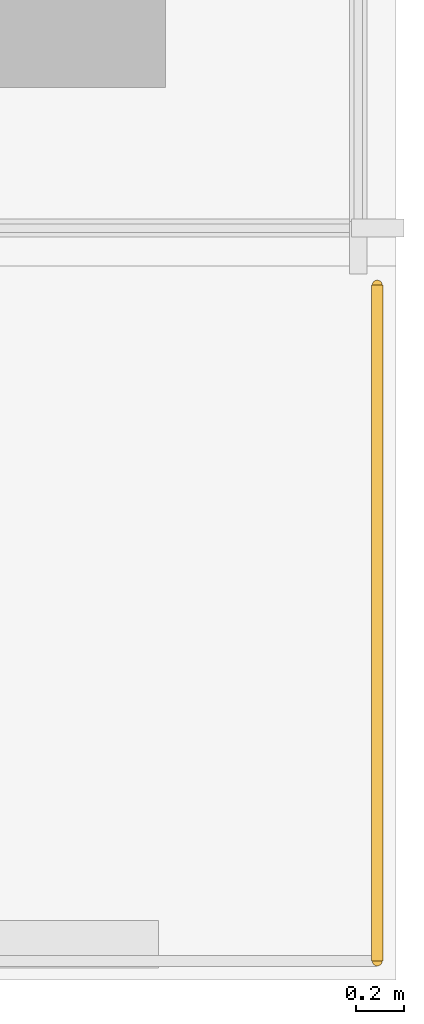
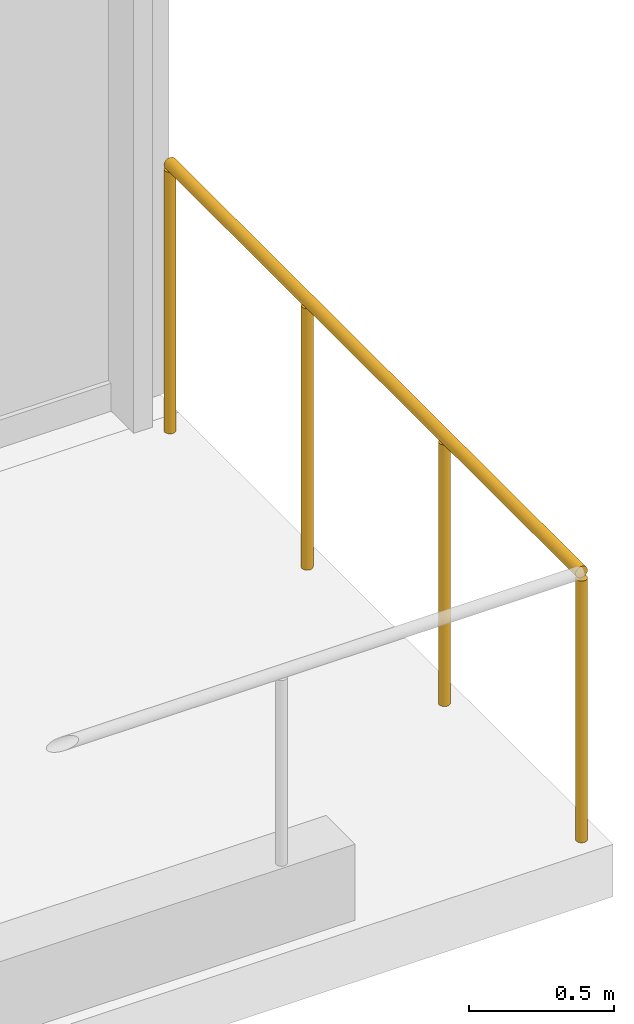
# One storey, part 29 of 31: 1 railing.
"""IFC4 building model written with IfcOpenShell, lengths in metres."""

from ifc_helpers import new_model, si_unit, derived_unit, direction, frame, origin, origin_2d, place, context, subcontext, project, spatial, circle, extrude, material, type_object, element, save


model = new_model("IFC4")

# Units and contexts
model_context = context("Model", 3, precision=1e-05, world=origin(), true_north=direction((0.0, 1.0)))
body_context = subcontext(model_context, "Body", "Model", "MODEL_VIEW")
ifc_project = project(units=[si_unit("LENGTHUNIT", "METRE"), si_unit("AREAUNIT", "SQUARE_METRE"), si_unit("VOLUMEUNIT", "CUBIC_METRE"), si_unit("PLANEANGLEUNIT", "RADIAN"), si_unit("MASSUNIT", "GRAM", prefix="KILO"), derived_unit("THERMALTRANSMITTANCEUNIT", [(si_unit("POWERUNIT", "WATT"), 1), (si_unit("LENGTHUNIT", "METRE"), -2), (si_unit("THERMODYNAMICTEMPERATUREUNIT", "KELVIN"), -1)])], contexts=[model_context])

# Site, building, storey
site_placement = place(None, origin())
site = spatial("IfcSite", under=ifc_project, at=site_placement, CompositionType="ELEMENT")
building_placement = place(site_placement, origin())
building = spatial("IfcBuilding", under=site, at=building_placement, Name="Kivonza Crest Hotel", CompositionType="ELEMENT")
storey_placement = place(building_placement, frame((0.0, 0.0, 15.0)))
storey = spatial("IfcBuildingStorey", under=building, at=storey_placement, Name="L03", CompositionType="ELEMENT", Elevation=15.0)

# Railing
ifc_material = material(Name="Laminated glass and stainless steel balustrade", Category="steel")
railing_type = type_object("IfcRailingType", Name="RL-TERR-1150", PredefinedType="BALUSTRADE", material=ifc_material)
railing_placement = place(storey_placement, frame((95.840087890625, 5.919921875, 0.0)))
element("IfcRailing", 1, at=railing_placement, inside=storey, type_object=railing_type, Name="L03 POD-L03-T1 perimeter safety balustrade 2", PredefinedType="BALUSTRADE", context=body_context, shape_type="SweptSolid", body=[
    extrude(circle(Radius=0.02392578125, at=origin_2d()), frame((0.0, 0.0, 1.1259765625), z_axis=(0.0, -1.0, 0.0), x_axis=(1.0, 0.0, 0.0)), (0.0, 0.0, 1.0), 2.83984375),
    extrude(circle(Radius=0.02099609375, at=origin_2d()), origin(), (0.0, 0.0, 1.0), 1.101806640625),
    extrude(circle(Radius=0.02099609375, at=origin_2d()), frame((0.0, -0.946533203125, 0.0)), (0.0, 0.0, 1.0), 1.101806640625),
    extrude(circle(Radius=0.02099609375, at=origin_2d()), frame((0.0, -1.893310546875, 0.0)), (0.0, 0.0, 1.0), 1.101806640625),
    extrude(circle(Radius=0.02099609375, at=origin_2d()), frame((0.0, -2.83984375, 0.0)), (0.0, 0.0, 1.0), 1.101806640625),
])

save(model, "model.ifc")
